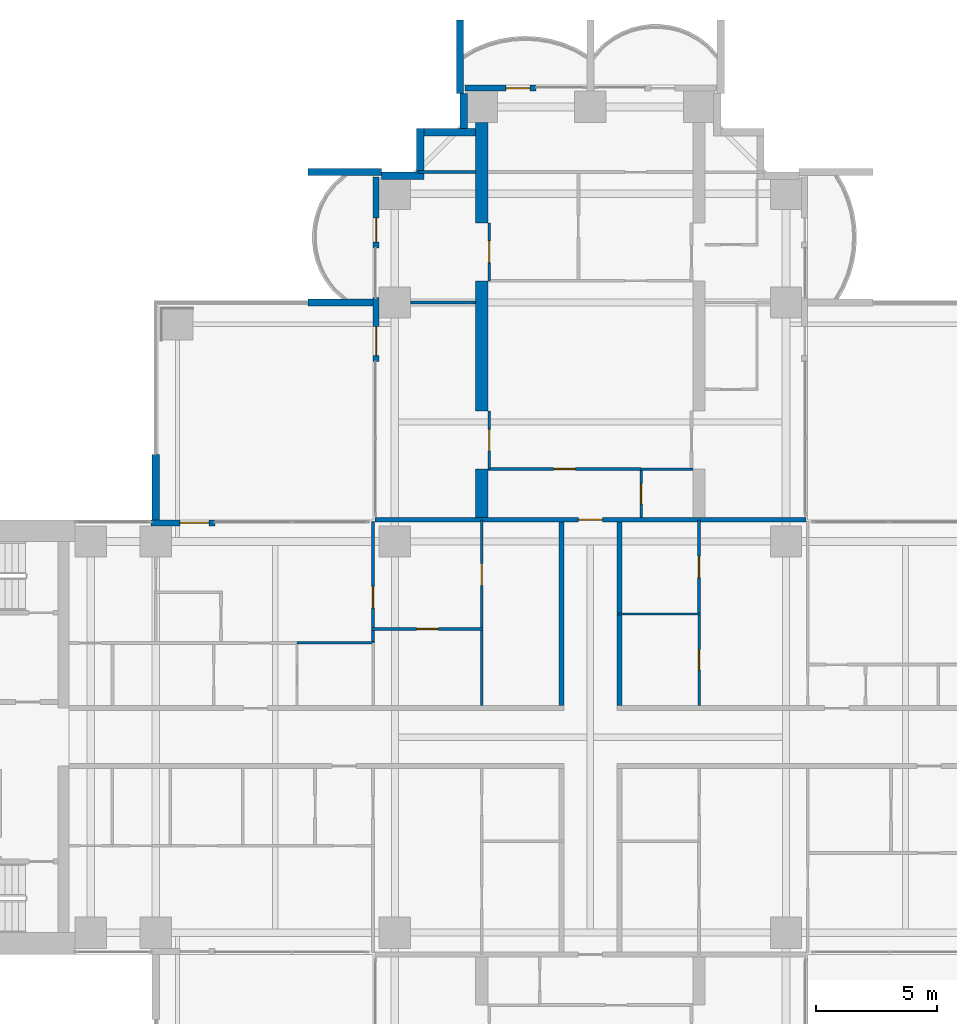
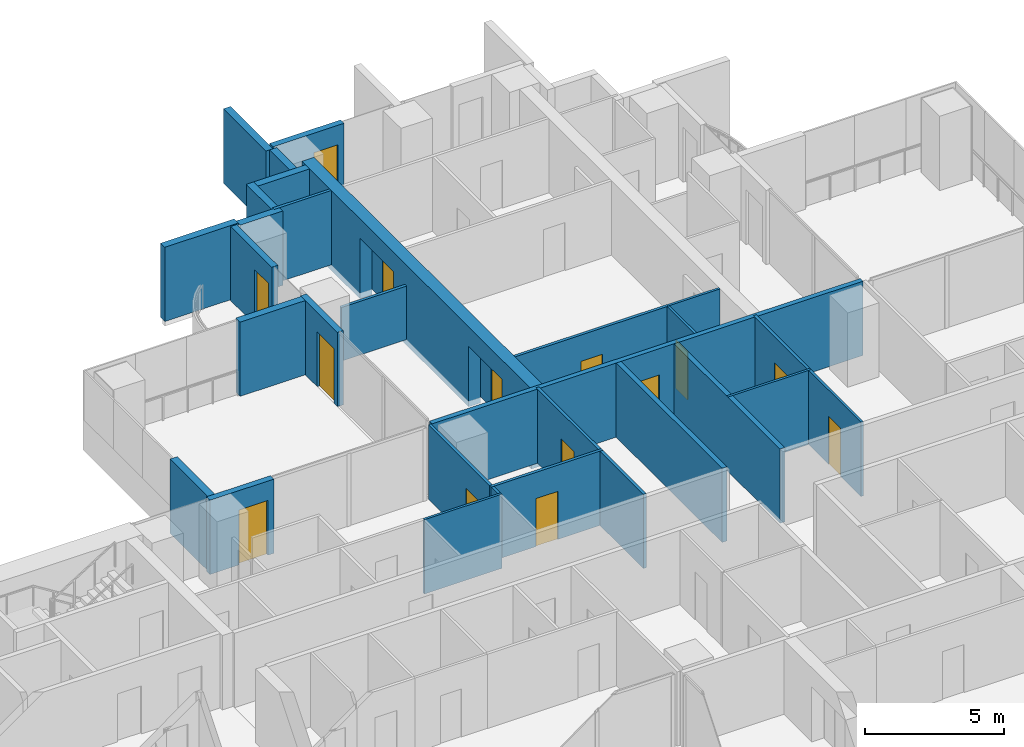
# One storey, part 14 of 21: 30 walls, 14 doors, 14 openings.
"""IFC4 building model written with IfcOpenShell, lengths in metres."""

from ifc_helpers import new_model, si_unit, direction, frame, frame_2d, origin, place, context, subcontext, project, spatial, polyline, rectangle, outline, extrude, material, layer, layer_set, material_profile, profile_set, type_object, element, fill, save


model = new_model("IFC4")

# Units and contexts
model_context = context("Model", 3, precision=1e-05, world=origin(), true_north=direction((0.0, 1.0)))
body_context = subcontext(model_context, "Body", "Model", "MODEL_VIEW")
ifc_project = project(units=[si_unit("LENGTHUNIT", "METRE"), si_unit("AREAUNIT", "SQUARE_METRE"), si_unit("VOLUMEUNIT", "CUBIC_METRE"), si_unit("PLANEANGLEUNIT", "RADIAN"), si_unit("MASSUNIT", "GRAM", prefix="KILO")], contexts=[model_context])

# Site, building, storey
site_placement = place(None, origin())
site = spatial("IfcSite", under=ifc_project, at=site_placement, CompositionType="ELEMENT")
building_placement = place(site_placement, origin())
building = spatial("IfcBuilding", under=site, at=building_placement, Name="Perihelion Cross Residences", CompositionType="ELEMENT")
storey_placement = place(building_placement, frame((0.0, 0.0, 43.5)))
storey = spatial("IfcBuildingStorey", under=building, at=storey_placement, Name="L07", CompositionType="ELEMENT", Elevation=43.5)

# Walls
ifc_material_1 = material(Name="Plasterboard partition")
ifc_layer_1 = layer(ifc_material_1, 0.199951171875)
ifc_layer_set_1 = layer_set([ifc_layer_1], Name="Apartment separation wall 200")
wall_type_1 = type_object("IfcWallType", Name="Apartment separation wall 200", PredefinedType="PARTITIONING", material=ifc_layer_set_1)
for number, where, z_axis, x_axis, name in (
    (1, (1.199951171875, 8.89990234375, 0.0), (0.0, 0.0, 1.0), (0.0, -1.0, 0.0), "Partition L07 W002"),
    (2, (-1.199951171875, 1.300048828125, 0.0), (0.0, 0.0, 1.0), (0.0, 1.0, 0.0), "Partition L07 W006"),
):
    element("IfcWall", number, at=place(storey_placement, frame(where, z_axis=z_axis, x_axis=x_axis)), inside=storey, type_object=wall_type_1, Name=name, PredefinedType="PARTITIONING", context=body_context, shape_type="SweptSolid", body=[
        extrude(rectangle(XDim=7.599853515625, YDim=0.199951171875, at=frame_2d((3.7998046875, 0.0))), origin(), (0.0, 0.0, 1.0), 3.25),
    ])

# Wall, opening, door
wall_1_placement = place(storey_placement, frame((-8.919921875, 9.0, 0.0), z_axis=(0.0, 0.0, 1.0), x_axis=(1.0, 0.0, 0.0)))
wall_1 = element("IfcWall", 3, at=wall_1_placement, inside=storey, type_object=wall_type_1, Name="Partition L07 W009", PredefinedType="PARTITIONING", context=body_context, shape_type="SweptSolid", body=[
    extrude(rectangle(XDim=17.83984375, YDim=0.199951171875, at=frame_2d((8.919921875, 0.0))), origin(), (0.0, 0.0, 1.0), 3.25),
])
opening_1_placement = place(wall_1_placement, frame((8.419921875, 0.0, 0.0)))
opening_1 = element("IfcOpeningElement", 4, at=opening_1_placement, cuts=wall_1, Name="Opening L07.A34", PredefinedType="OPENING", context=body_context, shape_type="SweptSolid", body=[
    extrude(rectangle(XDim=1.0, YDim=2.10009765625, at=frame_2d((0.5, 1.050048828125))), frame((0.0, 0.10986328125, 0.0), z_axis=(0.0, -1.0, 0.0), x_axis=(1.0, 0.0, 0.0)), (0.0, 0.0, 1.0), 0.219970703125),
])
ifc_material_2 = material(Name="Timber door leaf", Category="wood")
door_type_1 = type_object("IfcDoorType", Name="Flat entrance door 1000 x 2100", OperationType="SINGLE_SWING_LEFT", PredefinedType="DOOR", material=ifc_material_2)
door_1_placement = place(opening_1_placement, origin())
door_1 = element("IfcDoor", 5, at=door_1_placement, inside=storey, type_object=door_type_1, Name="Door L07.A34", OperationType="SINGLE_SWING_RIGHT", OverallHeight=2.10009765625, OverallWidth=1.0, PredefinedType="DOOR", context=body_context, shape_type="SweptSolid", body=[
    extrude(rectangle(XDim=1.0, YDim=2.10009765625, at=frame_2d((0.5, 1.050048828125))), frame((0.0, 0.02490234375, 0.0), z_axis=(0.0, -1.0, 0.0), x_axis=(1.0, 0.0, 0.0)), (0.0, 0.0, 1.0), 0.050048828125),
])
fill(opening_1, door_1)

ifc_material_3 = material(Name="Concrete C30/37, bronze-clad", Category="concrete")
ifc_layer_2 = layer(ifc_material_3, 0.25)
ifc_layer_set_2 = layer_set([ifc_layer_2], Name="Bronze-clad pier wall 250")
wall_type_2 = type_object("IfcWallType", Name="Bronze-clad pier wall 250", PredefinedType="SOLIDWALL", material=ifc_layer_set_2)
wall_2_placement = place(storey_placement, frame((-2.25, 26.875, 0.0), z_axis=(0.0, 0.0, 1.0), x_axis=(-1.0, 0.0, 0.0)))
wall_2 = element("IfcWall", 6, at=wall_2_placement, inside=storey, type_object=wall_type_2, Name="Wall FW1 L07 north tip north bay 2 pier", PredefinedType="SOLIDWALL", context=body_context, shape_type="SweptSolid", body=[
    extrude(rectangle(XDim=2.949951171875, YDim=0.25, at=frame_2d((1.47509765625, 0.0))), origin(), (0.0, 0.0, 1.0), 3.25),
])
opening_2_placement = place(wall_2_placement, frame((0.25, 0.0, 0.0)))
opening_2 = element("IfcOpeningElement", 7, at=opening_2_placement, cuts=wall_2, Name="Opening L07.E05", PredefinedType="OPENING", context=body_context, shape_type="SweptSolid", body=[
    extrude(rectangle(XDim=1.0, YDim=2.39990234375, at=frame_2d((0.5, 1.199951171875))), frame((0.0, 0.135009765625, 0.0), z_axis=(0.0, -1.0, 0.0), x_axis=(1.0, 0.0, 0.0)), (0.0, 0.0, 1.0), 0.27001953125),
])
ifc_material_4 = material(Name="Bronze anodised aluminium, glazed", Category="aluminium")
door_type_2 = type_object("IfcDoorType", Name="Balcony door 1000 x 2400", OperationType="NOTDEFINED", PredefinedType="DOOR", material=ifc_material_4)
door_2_placement = place(opening_2_placement, origin())
door_2 = element("IfcDoor", 8, at=door_2_placement, inside=storey, type_object=door_type_2, Name="Door L07.E05 north tip north bay 2", OperationType="SINGLE_SWING_RIGHT", OverallHeight=2.39990234375, OverallWidth=1.0, PredefinedType="DOOR", context=body_context, shape_type="SweptSolid", body=[
    extrude(rectangle(XDim=1.0, YDim=2.39990234375, at=frame_2d((0.5, 1.199951171875))), frame((0.0, 0.02490234375, 0.0), z_axis=(0.0, -1.0, 0.0), x_axis=(1.0, 0.0, 0.0)), (0.0, 0.0, 1.0), 0.050048828125),
])
fill(opening_2, door_2)

wall_3_placement = place(storey_placement, frame((-8.875, 23.199951171875, 0.0), z_axis=(0.0, 0.0, 1.0), x_axis=(0.0, -1.0, 0.0)))
wall_3 = element("IfcWall", 9, at=wall_3_placement, inside=storey, type_object=wall_type_2, Name="Wall FW1 L07 north side west bay 1 pier", PredefinedType="SOLIDWALL", context=body_context, shape_type="SweptSolid", body=[
    extrude(rectangle(XDim=2.949951171875, YDim=0.25, at=frame_2d((1.47509765625, 0.0))), origin(), (0.0, 0.0, 1.0), 3.25),
])
opening_3_placement = place(wall_3_placement, frame((1.699951171875, 0.0, 0.0)))
opening_3 = element("IfcOpeningElement", 10, at=opening_3_placement, cuts=wall_3, Name="Opening L07.E06", PredefinedType="OPENING", context=body_context, shape_type="SweptSolid", body=[
    extrude(rectangle(XDim=1.0, YDim=2.39990234375, at=frame_2d((0.5, 1.199951171875))), frame((0.0, 0.135009765625, 0.0), z_axis=(0.0, -1.0, 0.0), x_axis=(1.0, 0.0, 0.0)), (0.0, 0.0, 1.0), 0.27001953125),
])
door_3_placement = place(opening_3_placement, origin())
door_3 = element("IfcDoor", 11, at=door_3_placement, inside=storey, type_object=door_type_2, Name="Door L07.E06 north side west bay 1", OperationType="SINGLE_SWING_LEFT", OverallHeight=2.39990234375, OverallWidth=1.0, PredefinedType="DOOR", context=body_context, shape_type="SweptSolid", body=[
    extrude(rectangle(XDim=1.0, YDim=2.39990234375, at=frame_2d((0.5, 1.199951171875))), frame((0.0, 0.02490234375, 0.0), z_axis=(0.0, -1.0, 0.0), x_axis=(1.0, 0.0, 0.0)), (0.0, 0.0, 1.0), 0.050048828125),
])
fill(opening_3, door_3)

wall_4_placement = place(storey_placement, frame((-8.875, 18.199951171875, 0.0), z_axis=(0.0, 0.0, 1.0), x_axis=(0.0, -1.0, 0.0)))
wall_4 = element("IfcWall", 12, at=wall_4_placement, inside=storey, type_object=wall_type_2, Name="Wall FW1 L07 north side west bay 2 pier", PredefinedType="SOLIDWALL", context=body_context, shape_type="SweptSolid", body=[
    extrude(rectangle(XDim=2.64990234375, YDim=0.25, at=frame_2d((1.324951171875, 0.0))), origin(), (0.0, 0.0, 1.0), 3.25),
])
opening_4_placement = place(wall_4_placement, frame((1.199951171875, 0.0, 0.0)))
opening_4 = element("IfcOpeningElement", 13, at=opening_4_placement, cuts=wall_4, Name="Opening L07.E07", PredefinedType="OPENING", context=body_context, shape_type="SweptSolid", body=[
    extrude(rectangle(XDim=1.199951171875, YDim=2.39990234375, at=frame_2d((0.60009765625, 1.199951171875))), frame((0.0, 0.135009765625, 0.0), z_axis=(0.0, -1.0, 0.0), x_axis=(1.0, 0.0, 0.0)), (0.0, 0.0, 1.0), 0.27001953125),
])
ifc_material_5 = material(Name="Bronze anodised aluminium, glazed", Category="aluminium")
door_type_3 = type_object("IfcDoorType", Name="Balcony door 1200 x 2400", OperationType="NOTDEFINED", PredefinedType="DOOR", material=ifc_material_5)
door_4_placement = place(opening_4_placement, origin())
door_4 = element("IfcDoor", 14, at=door_4_placement, inside=storey, type_object=door_type_3, Name="Door L07.E07 north side west bay 2", OperationType="SINGLE_SWING_RIGHT", OverallHeight=2.39990234375, OverallWidth=1.199951171875, PredefinedType="DOOR", context=body_context, shape_type="SweptSolid", body=[
    extrude(rectangle(XDim=1.199951171875, YDim=2.39990234375, at=frame_2d((0.60009765625, 1.199951171875))), frame((0.0, 0.02490234375, 0.0), z_axis=(0.0, -1.0, 0.0), x_axis=(1.0, 0.0, 0.0)), (0.0, 0.0, 1.0), 0.050048828125),
])
fill(opening_4, door_4)

wall_5_placement = place(storey_placement, frame((-15.550048828125, 8.875, 0.0), z_axis=(0.0, 0.0, 1.0), x_axis=(-1.0, 0.0, 0.0)))
wall_5 = element("IfcWall", 15, at=wall_5_placement, inside=storey, type_object=wall_type_2, Name="Wall FW1 L07 west side north bay 1 pier", PredefinedType="SOLIDWALL", context=body_context, shape_type="SweptSolid", body=[
    extrude(rectangle(XDim=2.64990234375, YDim=0.25, at=frame_2d((1.324951171875, 0.0))), origin(), (0.0, 0.0, 1.0), 3.25),
])
opening_5_placement = place(wall_5_placement, frame((0.25, 0.0, 0.0)))
opening_5 = element("IfcOpeningElement", 16, at=opening_5_placement, cuts=wall_5, Name="Opening L07.E08", PredefinedType="OPENING", context=body_context, shape_type="SweptSolid", body=[
    extrude(rectangle(XDim=1.199951171875, YDim=2.39990234375, at=frame_2d((0.60009765625, 1.199951171875))), frame((0.0, 0.135009765625, 0.0), z_axis=(0.0, -1.0, 0.0), x_axis=(1.0, 0.0, 0.0)), (0.0, 0.0, 1.0), 0.27001953125),
])
door_5_placement = place(opening_5_placement, origin())
door_5 = element("IfcDoor", 17, at=door_5_placement, inside=storey, type_object=door_type_3, Name="Door L07.E08 west side north bay 1", OperationType="SINGLE_SWING_LEFT", OverallHeight=2.39990234375, OverallWidth=1.199951171875, PredefinedType="DOOR", context=body_context, shape_type="SweptSolid", body=[
    extrude(rectangle(XDim=1.199951171875, YDim=2.39990234375, at=frame_2d((0.60009765625, 1.199951171875))), frame((0.0, 0.02490234375, 0.0), z_axis=(0.0, -1.0, 0.0), x_axis=(1.0, 0.0, 0.0)), (0.0, 0.0, 1.0), 0.050048828125),
])
fill(opening_5, door_5)

# Walls
ifc_material_6 = material(Name="Concrete C30/37, bronze-clad", Category="concrete")
ifc_layer_3 = layer(ifc_material_6, 0.300048828125)
ifc_layer_set_3 = layer_set([ifc_layer_3], Name="Bronze-clad serration wall 300")
wall_type_3 = type_object("IfcWallType", Name="Bronze-clad serration wall 300", PredefinedType="SOLIDWALL", material=ifc_layer_set_3)
wall_6_placement = place(storey_placement, frame((-5.25, 26.64990234375, 0.0), z_axis=(0.0, 0.0, 1.0), x_axis=(0.0, -1.0, 0.0)))
element("IfcWall", 18, at=wall_6_placement, inside=storey, type_object=wall_type_3, Name="Wall SR1 L07 north corner north-west 1", PredefinedType="SOLIDWALL", context=body_context, shape_type="SweptSolid", body=[
    extrude(rectangle(XDim=1.449951171875, YDim=0.300048828125, at=frame_2d((0.72509765625, 0.0))), origin(), (0.0, 0.0, 1.0), 3.25),
])
wall_7_placement = place(storey_placement, frame((-4.75, 25.050048828125, 0.0), z_axis=(0.0, 0.0, 1.0), x_axis=(-1.0, 0.0, 0.0)))
element("IfcWall", 19, at=wall_7_placement, inside=storey, type_object=wall_type_3, Name="Wall SR1 L07 north corner north-west 2", PredefinedType="SOLIDWALL", context=body_context, shape_type="SweptSolid", body=[
    extrude(rectangle(XDim=2.14990234375, YDim=0.300048828125, at=frame_2d((1.074951171875, 0.0))), origin(), (0.0, 0.0, 1.0), 3.25),
])
wall_8_placement = place(storey_placement, frame((-7.050048828125, 25.199951171875, 0.0), z_axis=(0.0, 0.0, 1.0), x_axis=(0.0, -1.0, 0.0)))
element("IfcWall", 20, at=wall_8_placement, inside=storey, type_object=wall_type_3, Name="Wall SR1 L07 north corner north-west 3", PredefinedType="SOLIDWALL", context=body_context, shape_type="SweptSolid", body=[
    extrude(rectangle(XDim=1.800048828125, YDim=0.300048828125, at=frame_2d((0.89990234375, 0.0))), origin(), (0.0, 0.0, 1.0), 3.25),
])
wall_9_placement = place(storey_placement, frame((-6.89990234375, 23.25, 0.0), z_axis=(0.0, 0.0, 1.0), x_axis=(-1.0, 0.0, 0.0)))
element("IfcWall", 21, at=wall_9_placement, inside=storey, type_object=wall_type_3, Name="Wall SR1 L07 north corner north-west 4", PredefinedType="SOLIDWALL", context=body_context, shape_type="SweptSolid", body=[
    extrude(rectangle(XDim=1.75, YDim=0.300048828125, at=frame_2d((0.875, 0.0))), origin(), (0.0, 0.0, 1.0), 3.25),
])

# Wall, opening, door
ifc_material_7 = material(Name="Plasterboard partition")
ifc_layer_4 = layer(ifc_material_7, 0.1201171875)
ifc_layer_set_4 = layer_set([ifc_layer_4], Name="Infill panel 120")
wall_type_4 = type_object("IfcWallType", Name="Infill panel 120", PredefinedType="PARTITIONING", material=ifc_layer_set_4)
wall_10_placement = place(storey_placement, frame((-4.18994140625, 11.10009765625, 0.0), z_axis=(0.0, 0.0, 1.0), x_axis=(0.0, 1.0, 0.0)))
wall_10 = element("IfcWall", 22, at=wall_10_placement, inside=storey, type_object=wall_type_4, Name="Partition L07 WI03", PredefinedType="PARTITIONING", context=body_context, shape_type="SweptSolid", body=[
    extrude(rectangle(XDim=2.39990234375, YDim=0.1201171875, at=frame_2d((1.199951171875, 0.0))), origin(), (0.0, 0.0, 1.0), 2.39990234375),
])
opening_6_placement = place(wall_10_placement, frame((0.75, 0.0, 0.0)))
opening_6 = element("IfcOpeningElement", 23, at=opening_6_placement, cuts=wall_10, Name="Opening L07.A56", PredefinedType="OPENING", context=body_context, shape_type="SweptSolid", body=[
    extrude(rectangle(XDim=0.89990234375, YDim=2.10009765625, at=frame_2d((0.449951171875, 1.050048828125))), frame((0.0, 0.070068359375, 0.0), z_axis=(0.0, -1.0, 0.0), x_axis=(1.0, 0.0, 0.0)), (0.0, 0.0, 1.0), 0.14013671875),
])
ifc_material_8 = material(Name="Timber door leaf", Category="wood")
door_type_4 = type_object("IfcDoorType", Name="Interior room door 900 x 2100", OperationType="SINGLE_SWING_LEFT", PredefinedType="DOOR", material=ifc_material_8)
door_6_placement = place(opening_6_placement, origin())
door_6 = element("IfcDoor", 24, at=door_6_placement, inside=storey, type_object=door_type_4, Name="Door L07.A56", OperationType="SINGLE_SWING_LEFT", OverallHeight=2.10009765625, OverallWidth=0.89990234375, PredefinedType="DOOR", context=body_context, shape_type="SweptSolid", body=[
    extrude(rectangle(XDim=0.89990234375, YDim=2.10009765625, at=frame_2d((0.449951171875, 1.050048828125))), frame((0.0, 0.02490234375, 0.0), z_axis=(0.0, -1.0, 0.0), x_axis=(1.0, 0.0, 0.0)), (0.0, 0.0, 1.0), 0.050048828125),
])
fill(opening_6, door_6)

wall_11_placement = place(storey_placement, frame((-4.18994140625, 18.89990234375, 0.0), z_axis=(0.0, 0.0, 1.0), x_axis=(0.0, 1.0, 0.0)))
wall_11 = element("IfcWall", 25, at=wall_11_placement, inside=storey, type_object=wall_type_4, Name="Partition L07 WI04", PredefinedType="PARTITIONING", context=body_context, shape_type="SweptSolid", body=[
    extrude(rectangle(XDim=2.400146484375, YDim=0.1201171875, at=frame_2d((1.2001953125, 0.0))), origin(), (0.0, 0.0, 1.0), 2.39990234375),
])
opening_7_placement = place(wall_11_placement, frame((0.75, 0.0, 0.0)))
opening_7 = element("IfcOpeningElement", 26, at=opening_7_placement, cuts=wall_11, Name="Opening L07.A57", PredefinedType="OPENING", context=body_context, shape_type="SweptSolid", body=[
    extrude(rectangle(XDim=0.89990234375, YDim=2.10009765625, at=frame_2d((0.449951171875, 1.050048828125))), frame((0.0, 0.070068359375, 0.0), z_axis=(0.0, -1.0, 0.0), x_axis=(1.0, 0.0, 0.0)), (0.0, 0.0, 1.0), 0.14013671875),
])
door_7_placement = place(opening_7_placement, origin())
door_7 = element("IfcDoor", 27, at=door_7_placement, inside=storey, type_object=door_type_4, Name="Door L07.A57", OperationType="SINGLE_SWING_RIGHT", OverallHeight=2.10009765625, OverallWidth=0.89990234375, PredefinedType="DOOR", context=body_context, shape_type="SweptSolid", body=[
    extrude(rectangle(XDim=0.89990234375, YDim=2.10009765625, at=frame_2d((0.449951171875, 1.050048828125))), frame((0.0, 0.02490234375, 0.0), z_axis=(0.0, -1.0, 0.0), x_axis=(1.0, 0.0, 0.0)), (0.0, 0.0, 1.0), 0.050048828125),
])
fill(opening_7, door_7)

ifc_material_9 = material(Name="Plasterboard partition")
ifc_layer_5 = layer(ifc_material_9, 0.1201171875)
ifc_layer_set_5 = layer_set([ifc_layer_5], Name="Partition wall 120")
wall_type_5 = type_object("IfcWallType", Name="Partition wall 120", PredefinedType="PARTITIONING", material=ifc_layer_set_5)
wall_12_placement = place(storey_placement, frame((4.5, 5.10009765625, 0.0), z_axis=(0.0, 0.0, 1.0), x_axis=(0.0, 1.0, 0.0)))
wall_12 = element("IfcWall", 28, at=wall_12_placement, inside=storey, type_object=wall_type_5, Name="Partition L07 W021", PredefinedType="PARTITIONING", context=body_context, shape_type="SweptSolid", body=[
    extrude(rectangle(XDim=3.89990234375, YDim=0.1201171875, at=frame_2d((1.949951171875, 0.0))), origin(), (0.0, 0.0, 1.0), 3.25),
])
opening_8_placement = place(wall_12_placement, frame((1.5, 0.0, 0.0)))
opening_8 = element("IfcOpeningElement", 29, at=opening_8_placement, cuts=wall_12, Name="Opening L07.A03", PredefinedType="OPENING", context=body_context, shape_type="SweptSolid", body=[
    extrude(rectangle(XDim=0.89990234375, YDim=2.10009765625, at=frame_2d((0.449951171875, 1.050048828125))), frame((0.0, 0.070068359375, 0.0), z_axis=(0.0, -1.0, 0.0), x_axis=(1.0, 0.0, 0.0)), (0.0, 0.0, 1.0), 0.14013671875),
])
door_8_placement = place(opening_8_placement, origin())
door_8 = element("IfcDoor", 30, at=door_8_placement, inside=storey, type_object=door_type_4, Name="Door L07.A03", OperationType="SINGLE_SWING_RIGHT", OverallHeight=2.10009765625, OverallWidth=0.89990234375, PredefinedType="DOOR", context=body_context, shape_type="SweptSolid", body=[
    extrude(rectangle(XDim=0.89990234375, YDim=2.10009765625, at=frame_2d((0.449951171875, 1.050048828125))), frame((0.0, 0.02490234375, 0.0), z_axis=(0.0, -1.0, 0.0), x_axis=(1.0, 0.0, 0.0)), (0.0, 0.0, 1.0), 0.050048828125),
])
fill(opening_8, door_8)

wall_13_placement = place(storey_placement, frame((-9.0, 8.919921875, 0.0), z_axis=(0.0, 0.0, 1.0), x_axis=(0.0, -1.0, 0.0)))
wall_13 = element("IfcWall", 31, at=wall_13_placement, inside=storey, type_object=wall_type_5, Name="Partition L07 W042", PredefinedType="PARTITIONING", context=body_context, shape_type="SweptSolid", body=[
    extrude(rectangle(XDim=5.02001953125, YDim=0.1201171875, at=frame_2d((2.510009765625, 0.0))), origin(), (0.0, 0.0, 1.0), 3.25),
])
opening_9_placement = place(wall_13_placement, frame((2.681884765625, 0.0, 0.0)))
opening_9 = element("IfcOpeningElement", 32, at=opening_9_placement, cuts=wall_13, Name="Opening L07.A21", PredefinedType="OPENING", context=body_context, shape_type="SweptSolid", body=[
    extrude(rectangle(XDim=0.89990234375, YDim=2.10009765625, at=frame_2d((0.449951171875, 1.050048828125))), frame((0.0, 0.070068359375, 0.0), z_axis=(0.0, -1.0, 0.0), x_axis=(1.0, 0.0, 0.0)), (0.0, 0.0, 1.0), 0.14013671875),
])
door_9_placement = place(opening_9_placement, origin())
door_9 = element("IfcDoor", 33, at=door_9_placement, inside=storey, type_object=door_type_4, Name="Door L07.A21", OperationType="SINGLE_SWING_LEFT", OverallHeight=2.10009765625, OverallWidth=0.89990234375, PredefinedType="DOOR", context=body_context, shape_type="SweptSolid", body=[
    extrude(rectangle(XDim=0.89990234375, YDim=2.10009765625, at=frame_2d((0.449951171875, 1.050048828125))), frame((0.0, 0.02490234375, 0.0), z_axis=(0.0, -1.0, 0.0), x_axis=(1.0, 0.0, 0.0)), (0.0, 0.0, 1.0), 0.050048828125),
])
fill(opening_9, door_9)

wall_14_placement = place(storey_placement, frame((-9.06005859375, 4.47607421875, 0.0), z_axis=(0.0, 0.0, 1.0), x_axis=(1.0, 0.0, 0.0)))
wall_14 = element("IfcWall", 34, at=wall_14_placement, inside=storey, type_object=wall_type_5, Name="Partition L07 W043", PredefinedType="PARTITIONING", context=body_context, shape_type="SweptSolid", body=[
    extrude(rectangle(XDim=4.6201171875, YDim=0.1201171875, at=frame_2d((2.31005859375, 0.0))), origin(), (0.0, 0.0, 1.0), 3.25),
])
opening_10_placement = place(wall_14_placement, frame((1.860107421875, 0.0, 0.0)))
opening_10 = element("IfcOpeningElement", 35, at=opening_10_placement, cuts=wall_14, Name="Opening L07.A19", PredefinedType="OPENING", context=body_context, shape_type="SweptSolid", body=[
    extrude(rectangle(XDim=0.89990234375, YDim=2.10009765625, at=frame_2d((0.449951171875, 1.050048828125))), frame((0.0, 0.070068359375, 0.0), z_axis=(0.0, -1.0, 0.0), x_axis=(1.0, 0.0, 0.0)), (0.0, 0.0, 1.0), 0.14013671875),
])
door_10_placement = place(opening_10_placement, origin())
door_10 = element("IfcDoor", 36, at=door_10_placement, inside=storey, type_object=door_type_4, Name="Door L07.A19", OperationType="SINGLE_SWING_RIGHT", OverallHeight=2.10009765625, OverallWidth=0.89990234375, PredefinedType="DOOR", context=body_context, shape_type="SweptSolid", body=[
    extrude(rectangle(XDim=0.89990234375, YDim=2.10009765625, at=frame_2d((0.449951171875, 1.050048828125))), frame((0.0, 0.02490234375, 0.0), z_axis=(0.0, -1.0, 0.0), x_axis=(1.0, 0.0, 0.0)), (0.0, 0.0, 1.0), 0.050048828125),
])
fill(opening_10, door_10)

wall_15_placement = place(storey_placement, frame((-4.5, 9.0, 0.0), z_axis=(0.0, 0.0, 1.0), x_axis=(0.0, -1.0, 0.0)))
wall_15 = element("IfcWall", 37, at=wall_15_placement, inside=storey, type_object=wall_type_5, Name="Partition L07 W044", PredefinedType="PARTITIONING", context=body_context, shape_type="SweptSolid", body=[
    extrude(rectangle(XDim=7.699951171875, YDim=0.1201171875, at=frame_2d((3.85009765625, 0.0))), origin(), (0.0, 0.0, 1.0), 3.25),
])
opening_11_placement = place(wall_15_placement, frame((1.81201171875, 0.0, 0.0)))
opening_11 = element("IfcOpeningElement", 38, at=opening_11_placement, cuts=wall_15, Name="Opening L07.A20", PredefinedType="OPENING", context=body_context, shape_type="SweptSolid", body=[
    extrude(rectangle(XDim=0.89990234375, YDim=2.10009765625, at=frame_2d((0.449951171875, 1.050048828125))), frame((0.0, 0.070068359375, 0.0), z_axis=(0.0, -1.0, 0.0), x_axis=(1.0, 0.0, 0.0)), (0.0, 0.0, 1.0), 0.14013671875),
])
door_11_placement = place(opening_11_placement, origin())
door_11 = element("IfcDoor", 39, at=door_11_placement, inside=storey, type_object=door_type_4, Name="Door L07.A20", OperationType="SINGLE_SWING_LEFT", OverallHeight=2.10009765625, OverallWidth=0.89990234375, PredefinedType="DOOR", context=body_context, shape_type="SweptSolid", body=[
    extrude(rectangle(XDim=0.89990234375, YDim=2.10009765625, at=frame_2d((0.449951171875, 1.050048828125))), frame((0.0, 0.02490234375, 0.0), z_axis=(0.0, -1.0, 0.0), x_axis=(1.0, 0.0, 0.0)), (0.0, 0.0, 1.0), 0.050048828125),
])
fill(opening_11, door_11)

wall_16_placement = place(storey_placement, frame((-4.25, 11.10009765625, 0.0), z_axis=(0.0, 0.0, 1.0), x_axis=(1.0, 0.0, 0.0)))
wall_16 = element("IfcWall", 40, at=wall_16_placement, inside=storey, type_object=wall_type_5, Name="Partition L07 W058", PredefinedType="PARTITIONING", context=body_context, shape_type="SweptSolid", body=[
    extrude(rectangle(XDim=6.35009765625, YDim=0.1201171875, at=frame_2d((3.175048828125, 0.0))), origin(), (0.0, 0.0, 1.0), 3.25),
])
opening_12_placement = place(wall_16_placement, frame((2.72509765625, 0.0, 0.0)))
opening_12 = element("IfcOpeningElement", 41, at=opening_12_placement, cuts=wall_16, Name="Opening L07.A36", PredefinedType="OPENING", context=body_context, shape_type="SweptSolid", body=[
    extrude(rectangle(XDim=0.89990234375, YDim=2.10009765625, at=frame_2d((0.449951171875, 1.050048828125))), frame((0.0, 0.070068359375, 0.0), z_axis=(0.0, -1.0, 0.0), x_axis=(1.0, 0.0, 0.0)), (0.0, 0.0, 1.0), 0.14013671875),
])
door_12_placement = place(opening_12_placement, origin())
door_12 = element("IfcDoor", 42, at=door_12_placement, inside=storey, type_object=door_type_4, Name="Door L07.A36", OperationType="SINGLE_SWING_LEFT", OverallHeight=2.10009765625, OverallWidth=0.89990234375, PredefinedType="DOOR", context=body_context, shape_type="SweptSolid", body=[
    extrude(rectangle(XDim=0.89990234375, YDim=2.10009765625, at=frame_2d((0.449951171875, 1.050048828125))), frame((0.0, 0.02490234375, 0.0), z_axis=(0.0, -1.0, 0.0), x_axis=(1.0, 0.0, 0.0)), (0.0, 0.0, 1.0), 0.050048828125),
])
fill(opening_12, door_12)

# Walls
wall_17_placement = place(storey_placement, frame((-7.449951171875, 18.0, 0.0), z_axis=(0.0, 0.0, 1.0), x_axis=(1.0, 0.0, 0.0)))
element("IfcWall", 43, at=wall_17_placement, inside=storey, type_object=wall_type_5, Name="Partition L07 W070", PredefinedType="PARTITIONING", context=body_context, shape_type="SweptSolid", body=[
    extrude(rectangle(XDim=2.699951171875, YDim=0.1201171875, at=frame_2d((1.35009765625, 0.0))), origin(), (0.0, 0.0, 1.0), 2.345947265625),
])
wall_18_placement = place(storey_placement, frame((-7.1201171875, 23.39990234375, 0.0), z_axis=(0.0, 0.0, 1.0), x_axis=(1.0, 0.0, 0.0)))
element("IfcWall", 44, at=wall_18_placement, inside=storey, type_object=wall_type_5, Name="Partition L07 W071", PredefinedType="PARTITIONING", context=body_context, shape_type="SweptSolid", body=[
    extrude(rectangle(XDim=2.3701171875, YDim=0.1201171875, at=frame_2d((1.18505859375, 0.0))), origin(), (0.0, 0.0, 1.0), 3.25),
])
ifc_material_10 = material(Name="Precast concrete C50/60", Category="concrete")
ifc_layer_6 = layer(ifc_material_10, 0.300048828125)
ifc_layer_set_6 = layer_set([ifc_layer_6], Name="Precast concrete C50/60 blade wall 300")
wall_type_6 = type_object("IfcWallType", Name="Precast concrete C50/60 blade wall 300", PredefinedType="SOLIDWALL", material=ifc_layer_set_6)
for number, where, z_axis, x_axis, name in (
    (45, (-18.0, 8.75, 0.0), (0.0, 0.0, 1.0), (0.0, 1.0, 0.0), "Wall BL1 L07 no. 2"),
    (46, (-8.75, 18.0, 0.0), (0.0, 0.0, 1.0), (-1.0, 0.0, 0.0), "Wall BL1 L07 no. 7"),
):
    element("IfcWall", number, at=place(storey_placement, frame(where, z_axis=z_axis, x_axis=x_axis)), inside=storey, type_object=wall_type_6, Name=name, PredefinedType="SOLIDWALL", context=body_context, shape_type="SweptSolid", body=[
        extrude(rectangle(XDim=2.949951171875, YDim=0.300048828125, at=frame_2d((1.47509765625, 0.0))), origin(), (0.0, 0.0, 1.0), 3.25),
    ])
for number, where, z_axis, x_axis, name in (
    (47, (-8.64990234375, 23.39990234375, 0.0), (0.0, 0.0, 1.0), (-1.0, 0.0, 0.0), "Wall BL1 L07 no. 8"),
    (48, (-5.39990234375, 26.64990234375, 0.0), (0.0, 0.0, 1.0), (0.0, 1.0, 0.0), "Wall BL1 L07 no. 4"),
):
    element("IfcWall", number, at=place(storey_placement, frame(where, z_axis=z_axis, x_axis=x_axis)), inside=storey, type_object=wall_type_6, Name=name, PredefinedType="SOLIDWALL", context=body_context, shape_type="SweptSolid", body=[
        extrude(rectangle(XDim=3.050048828125, YDim=0.300048828125, at=frame_2d((1.52490234375, 0.0))), origin(), (0.0, 0.0, 1.0), 3.25),
    ])
ifc_material_11 = material(Name="Concrete C60/75", Category="concrete")
ifc_material_profile = material_profile(ifc_material_11, outline(polyline([(0.0, 0.0), (2.10009765625, 0.0), (2.10009765625, 2.64990234375), (4.5, 2.64990234375), (4.5, 0.0), (9.89990234375, 0.0), (9.89990234375, 2.64990234375), (12.300048828125, 2.64990234375), (12.300048828125, 0.0), (16.449951171875, 0.0), (16.449951171875, 3.5), (0.0, 3.5), (0.0, 0.0)])), Name="Tip spine wall")
ifc_profile_set = profile_set([ifc_material_profile], Name="Concrete C60/75")
wall_type_7 = type_object("IfcWallType", Name="Tip spine wall 500 with 2 door openings 16450 long 3500 high concrete C60/75 hand B", PredefinedType="SHEAR", material=ifc_profile_set)
wall_19_placement = place(storey_placement, frame((-4.75, 9.0, -0.25), z_axis=(1.0, 0.0, 0.0), x_axis=(0.0, 1.0, 0.0)))
element("IfcWall", 49, at=wall_19_placement, inside=storey, type_object=wall_type_7, Name="Shear wall SW23 L07 north west", PredefinedType="SHEAR", context=body_context, shape_type="SweptSolid", body=[
    extrude(outline(polyline([(0.0, 0.0), (2.10009765625, 0.0), (2.10009765625, 2.64990234375), (4.5, 2.64990234375), (4.5, 0.0), (9.89990234375, 0.0), (9.89990234375, 2.64990234375), (12.300048828125, 2.64990234375), (12.300048828125, 0.0), (16.449951171875, 0.0), (16.449951171875, 3.5), (0.0, 3.5), (0.0, 0.0)])), origin(), (0.0, 0.0, 1.0), 0.5),
])

# Wall, opening, door
ifc_material_12 = material(Name="Plasterboard partition")
ifc_layer_7 = layer(ifc_material_12, 0.10009765625)
ifc_layer_set_7 = layer_set([ifc_layer_7], Name="Wet room wall 100")
wall_type_8 = type_object("IfcWallType", Name="Wet room wall 100", PredefinedType="PARTITIONING", material=ifc_layer_set_7)
wall_20_placement = place(storey_placement, frame((4.5, 1.300048828125, 0.0), z_axis=(0.0, 0.0, 1.0), x_axis=(0.0, 1.0, 0.0)))
wall_20 = element("IfcWall", 50, at=wall_20_placement, inside=storey, type_object=wall_type_8, Name="Partition L07 W020", PredefinedType="PARTITIONING", context=body_context, shape_type="SweptSolid", body=[
    extrude(rectangle(XDim=3.800048828125, YDim=0.10009765625, at=frame_2d((1.89990234375, 0.0))), origin(), (0.0, 0.0, 1.0), 3.25),
])
opening_13_placement = place(wall_20_placement, frame((1.47509765625, 0.0, 0.0)))
opening_13 = element("IfcOpeningElement", 51, at=opening_13_placement, cuts=wall_20, Name="Opening L07.A05", PredefinedType="OPENING", context=body_context, shape_type="SweptSolid", body=[
    extrude(rectangle(XDim=0.85009765625, YDim=2.10009765625, at=frame_2d((0.425048828125, 1.050048828125))), frame((0.0, 0.06005859375, 0.0), z_axis=(0.0, -1.0, 0.0), x_axis=(1.0, 0.0, 0.0)), (0.0, 0.0, 1.0), 0.1201171875),
])
ifc_material_13 = material(Name="Timber door leaf", Category="wood")
door_type_5 = type_object("IfcDoorType", Name="Interior bathroom door 850 x 2100", OperationType="SINGLE_SWING_LEFT", PredefinedType="DOOR", material=ifc_material_13)
door_13_placement = place(opening_13_placement, origin())
door_13 = element("IfcDoor", 52, at=door_13_placement, inside=storey, type_object=door_type_5, Name="Door L07.A05", OperationType="SINGLE_SWING_RIGHT", OverallHeight=2.10009765625, OverallWidth=0.85009765625, PredefinedType="DOOR", context=body_context, shape_type="SweptSolid", body=[
    extrude(rectangle(XDim=0.85009765625, YDim=2.10009765625, at=frame_2d((0.425048828125, 1.050048828125))), frame((0.0, 0.02490234375, 0.0), z_axis=(0.0, -1.0, 0.0), x_axis=(1.0, 0.0, 0.0)), (0.0, 0.0, 1.0), 0.050048828125),
])
fill(opening_13, door_13)

# Walls
wall_21_placement = place(storey_placement, frame((1.10009765625, 5.10009765625, 0.0), z_axis=(0.0, 0.0, 1.0), x_axis=(1.0, 0.0, 0.0)))
element("IfcWall", 53, at=wall_21_placement, inside=storey, type_object=wall_type_8, Name="Partition L07 W022", PredefinedType="PARTITIONING", context=body_context, shape_type="SweptSolid", body=[
    extrude(rectangle(XDim=3.4599609375, YDim=0.10009765625, at=frame_2d((1.72998046875, 0.0))), origin(), (0.0, 0.0, 1.0), 3.25),
])
wall_22_placement = place(storey_placement, frame((-12.14990234375, 3.89990234375, 0.0), z_axis=(0.0, 0.0, 1.0), x_axis=(1.0, 0.0, 0.0)))
element("IfcWall", 54, at=wall_22_placement, inside=storey, type_object=wall_type_8, Name="Partition L07 W034", PredefinedType="PARTITIONING", context=body_context, shape_type="SweptSolid", body=[
    extrude(rectangle(XDim=3.2099609375, YDim=0.10009765625, at=frame_2d((1.60498046875, 0.0))), origin(), (0.0, 0.0, 1.0), 3.25),
])

# Wall, opening, door
wall_23_placement = place(storey_placement, frame((2.10009765625, 11.0400390625, 0.0), z_axis=(0.0, 0.0, 1.0), x_axis=(0.0, -1.0, 0.0)))
wall_23 = element("IfcWall", 55, at=wall_23_placement, inside=storey, type_object=wall_type_8, Name="Partition L07 W057", PredefinedType="PARTITIONING", context=body_context, shape_type="SweptSolid", body=[
    extrude(rectangle(XDim=1.93994140625, YDim=0.10009765625, at=frame_2d((0.969970703125, 0.0))), origin(), (0.0, 0.0, 1.0), 3.25),
])
opening_14_placement = place(wall_23_placement, frame((0.544921875, 0.0, 0.0)))
opening_14 = element("IfcOpeningElement", 56, at=opening_14_placement, cuts=wall_23, Name="Opening L07.A35", PredefinedType="OPENING", context=body_context, shape_type="SweptSolid", body=[
    extrude(rectangle(XDim=0.85009765625, YDim=2.10009765625, at=frame_2d((0.425048828125, 1.050048828125))), frame((0.0, 0.06005859375, 0.0), z_axis=(0.0, -1.0, 0.0), x_axis=(1.0, 0.0, 0.0)), (0.0, 0.0, 1.0), 0.1201171875),
])
door_14_placement = place(opening_14_placement, origin())
door_14 = element("IfcDoor", 57, at=door_14_placement, inside=storey, type_object=door_type_5, Name="Door L07.A35", OperationType="SINGLE_SWING_LEFT", OverallHeight=2.10009765625, OverallWidth=0.85009765625, PredefinedType="DOOR", context=body_context, shape_type="SweptSolid", body=[
    extrude(rectangle(XDim=0.85009765625, YDim=2.10009765625, at=frame_2d((0.425048828125, 1.050048828125))), frame((0.0, 0.02490234375, 0.0), z_axis=(0.0, -1.0, 0.0), x_axis=(1.0, 0.0, 0.0)), (0.0, 0.0, 1.0), 0.050048828125),
])
fill(opening_14, door_14)

# Wall
wall_24_placement = place(storey_placement, frame((2.10009765625, 11.10009765625, 0.0), z_axis=(0.0, 0.0, 1.0), x_axis=(1.0, 0.0, 0.0)))
element("IfcWall", 58, at=wall_24_placement, inside=storey, type_object=wall_type_8, Name="Partition L07 W059", PredefinedType="PARTITIONING", context=body_context, shape_type="SweptSolid", body=[
    extrude(rectangle(XDim=2.14990234375, YDim=0.10009765625, at=frame_2d((1.074951171875, 0.0))), origin(), (0.0, 0.0, 1.0), 3.25),
])

save(model, "model.ifc")
